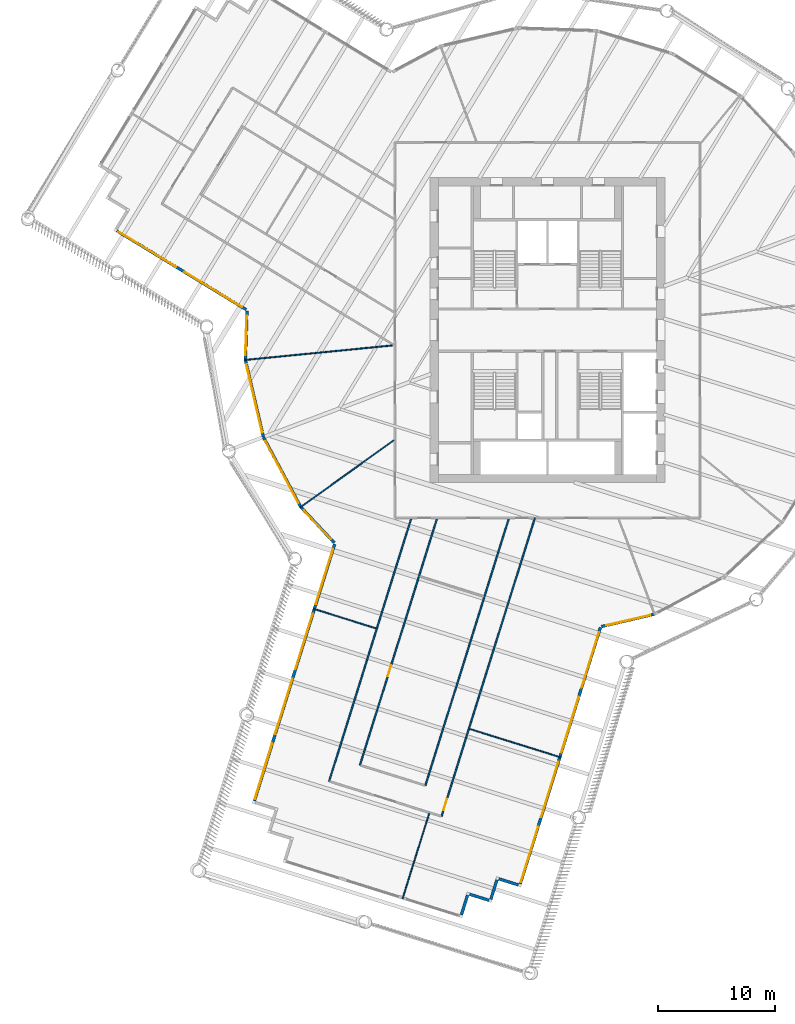
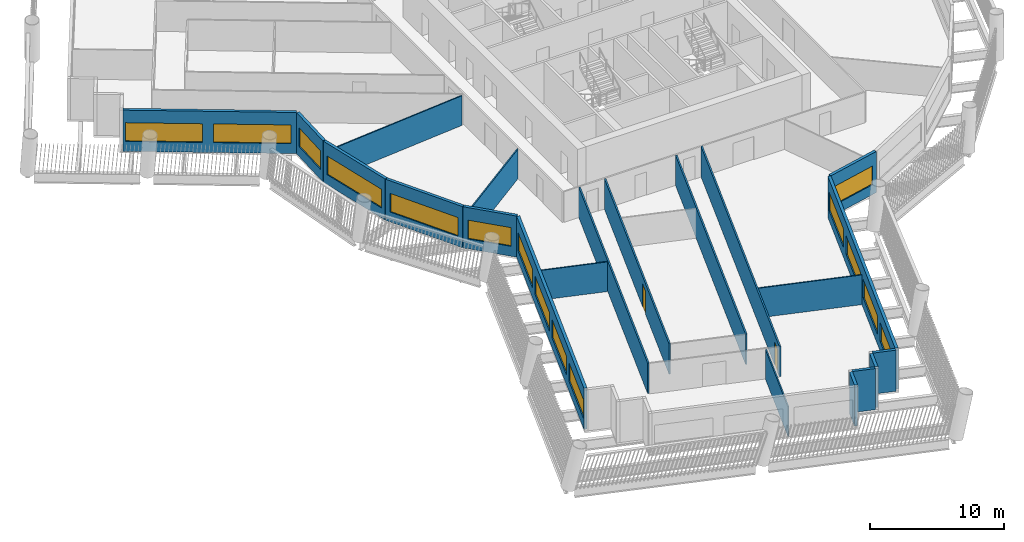
# One storey, part 3 of 15: 21 walls, 15 windows, 2 doors, 17 openings.
"""IFC4 building model written with IfcOpenShell, lengths in metres."""

from ifc_helpers import new_model, si_unit, direction, frame, frame_2d, origin, place, context, subcontext, project, spatial, rectangle, extrude, material, layer, layer_set, type_object, element, fill, save


model = new_model("IFC4")

# Units and contexts
model_context = context("Model", 3, precision=1e-05, world=origin(), true_north=direction((0.0, 1.0)))
body_context = subcontext(model_context, "Body", "Model", "MODEL_VIEW")
ifc_project = project(units=[si_unit("LENGTHUNIT", "METRE"), si_unit("AREAUNIT", "SQUARE_METRE"), si_unit("VOLUMEUNIT", "CUBIC_METRE"), si_unit("PLANEANGLEUNIT", "RADIAN"), si_unit("MASSUNIT", "GRAM", prefix="KILO")], contexts=[model_context])

# Site, building, storey
site_placement = place(None, origin())
site = spatial("IfcSite", under=ifc_project, at=site_placement, CompositionType="ELEMENT")
building_placement = place(site_placement, origin())
building = spatial("IfcBuilding", under=site, at=building_placement, Name="Tarsis Ring Headquarters", CompositionType="ELEMENT")
storey_placement = place(building_placement, frame((0.0, 0.0, 151.5)))
storey = spatial("IfcBuildingStorey", under=building, at=storey_placement, Name="L34", CompositionType="ELEMENT", Elevation=151.5)

# Walls
ifc_material_1 = material(Name="Gypsum board on steel studs", Category="steel")
ifc_layer_1 = layer(ifc_material_1, 0.10009765625)
ifc_layer_set_1 = layer_set([ifc_layer_1], Name="FL partition 100 unrated")
wall_type_1 = type_object("IfcWallType", Name="FL partition 100 unrated", PredefinedType="PARTITIONING", material=ifc_layer_set_1)
wall_1_placement = place(storey_placement, frame((-25.822265625, -2.550048828125, 0.0), z_axis=(0.0, 0.0, 1.0), x_axis=(0.995158345201, 0.098284627367, 0.0)))
element("IfcWall", 1, at=wall_1_placement, inside=storey, type_object=wall_type_1, Name="Partition PW3", PredefinedType="PARTITIONING", context=body_context, shape_type="SweptSolid", body=[
    extrude(rectangle(XDim=12.6708984375, YDim=0.10009765625, at=frame_2d((6.33544921875, 0.0))), origin(), (0.0, 0.0, 1.0), 2.699951171875),
])
wall_2_placement = place(storey_placement, frame((-21.087646484375, -15.11962890625, 0.0), z_axis=(0.0, 0.0, 1.0), x_axis=(0.812692340675, 0.582693023306, 0.0)))
element("IfcWall", 2, at=wall_2_placement, inside=storey, type_object=wall_type_1, Name="Partition PW3", PredefinedType="PARTITIONING", context=body_context, shape_type="SweptSolid", body=[
    extrude(rectangle(XDim=9.8515625, YDim=0.10009765625, at=frame_2d((4.92578125, 0.0))), origin(), (0.0, 0.0, 1.0), 2.699951171875),
])
wall_3_placement = place(storey_placement, frame((-6.6240234375, -33.991943359375, 0.0), z_axis=(0.0, 0.0, 1.0), x_axis=(0.954447377363, -0.298379295267, 0.0)))
element("IfcWall", 3, at=wall_3_placement, inside=storey, type_object=wall_type_1, Name="Partition PW3", PredefinedType="PARTITIONING", context=body_context, shape_type="SweptSolid", body=[
    extrude(rectangle(XDim=8.1298828125, YDim=0.10009765625, at=frame_2d((4.06494140625, 0.0))), origin(), (0.0, 0.0, 1.0), 2.699951171875),
])
wall_4_placement = place(storey_placement, frame((-12.35546875, -48.471435546875, 0.0), z_axis=(0.0, 0.0, 1.0), x_axis=(0.298375196685, 0.954448658652, 0.0)))
element("IfcWall", 4, at=wall_4_placement, inside=storey, type_object=wall_type_1, Name="Partition PW3", PredefinedType="PARTITIONING", context=body_context, shape_type="SweptSolid", body=[
    extrude(rectangle(XDim=7.630126953125, YDim=0.10009765625, at=frame_2d((3.81494140625, 0.0))), origin(), (0.0, 0.0, 1.0), 2.699951171875),
])
wall_5_placement = place(storey_placement, frame((-19.945068359375, -23.750732421875, 0.0), z_axis=(0.0, 0.0, 1.0), x_axis=(0.954443444999, -0.298391873712, 0.0)))
element("IfcWall", 5, at=wall_5_placement, inside=storey, type_object=wall_type_1, Name="Partition PW3", PredefinedType="PARTITIONING", context=body_context, shape_type="SweptSolid", body=[
    extrude(rectangle(XDim=5.58984375, YDim=0.10009765625, at=frame_2d((2.794921875, 0.0))), origin(), (0.0, 0.0, 1.0), 2.699951171875),
])

# Wall, opening, door
ifc_layer_2 = layer(ifc_material_1, 0.125)
ifc_layer_set_2 = layer_set([ifc_layer_2], Name="FL partition 125 EI 60 H2770")
wall_type_2 = type_object("IfcWallType", Name="FL partition 125 EI 60 H2770", PredefinedType="PARTITIONING", material=ifc_layer_set_2)
wall_6_placement = place(storey_placement, frame((-9.027099609375, -41.4443359375, 0.0), z_axis=(0.0, 0.0, 1.0), x_axis=(0.298368853428, 0.954450641628, 0.0)))
wall_6 = element("IfcWall", 6, at=wall_6_placement, inside=storey, type_object=wall_type_2, Name="Partition PW1", PredefinedType="PARTITIONING", context=body_context, shape_type="SweptSolid", body=[
    extrude(rectangle(XDim=26.65869140625, YDim=0.125, at=frame_2d((13.329345703125, 0.0))), origin(), (0.0, 0.0, 1.0), 2.77001953125),
])
opening_1_placement = place(wall_6_placement, frame((0.550048828125, 0.0, 0.0)))
opening_1 = element("IfcOpeningElement", 7, at=opening_1_placement, cuts=wall_6, Name="Opening D34.10", PredefinedType="OPENING", context=body_context, shape_type="SweptSolid", body=[
    extrude(rectangle(XDim=1.0, YDim=2.10009765625, at=frame_2d((0.5, 1.050048828125))), frame((0.0, 0.072509765625, 0.0), z_axis=(0.0, -1.0, 0.0), x_axis=(1.0, 0.0, 0.0)), (0.0, 0.0, 1.0), 0.14501953125),
])
ifc_material_2 = material(Name="Fire-rated timber door leaf in steel frame", Category="steel")
door_type = type_object("IfcDoorType", Name="FL door FD60-1000", OperationType="NOTDEFINED", PredefinedType="DOOR", material=ifc_material_2)
door_1_placement = place(opening_1_placement, origin())
door_1 = element("IfcDoor", 8, at=door_1_placement, inside=storey, type_object=door_type, Name="Door D34.10", OperationType="SINGLE_SWING_RIGHT", OverallHeight=2.10009765625, OverallWidth=1.0, PredefinedType="DOOR", context=body_context, shape_type="SweptSolid", body=[
    extrude(rectangle(XDim=1.0, YDim=2.10009765625, at=frame_2d((0.5, 1.050048828125))), frame((0.0, 0.02490234375, 0.0), z_axis=(0.0, -1.0, 0.0), x_axis=(1.0, 0.0, 0.0)), (0.0, 0.0, 1.0), 0.050048828125),
])
fill(opening_1, door_1)

# Walls
wall_7_placement = place(storey_placement, frame((-10.40478515625, -38.8134765625, 0.0), z_axis=(0.0, 0.0, 1.0), x_axis=(0.298364274045, 0.954452073167, 0.0)))
element("IfcWall", 9, at=wall_7_placement, inside=storey, type_object=wall_type_2, Name="Partition PW1", PredefinedType="PARTITIONING", context=body_context, shape_type="SweptSolid", body=[
    extrude(rectangle(XDim=23.822021484375, YDim=0.125, at=frame_2d((11.9111328125, 0.0))), origin(), (0.0, 0.0, 1.0), 2.77001953125),
])
wall_8_placement = place(storey_placement, frame((-18.60986328125, -38.44873046875, 0.0), z_axis=(0.0, 0.0, 1.0), x_axis=(0.298374031844, 0.954449022799, 0.0)))
element("IfcWall", 10, at=wall_8_placement, inside=storey, type_object=wall_type_2, Name="Partition PW1", PredefinedType="PARTITIONING", context=body_context, shape_type="SweptSolid", body=[
    extrude(rectangle(XDim=23.43994140625, YDim=0.125, at=frame_2d((11.719970703125, 0.0))), origin(), (0.0, 0.0, 1.0), 2.77001953125),
])

# Wall, opening, door
wall_9_placement = place(storey_placement, frame((-15.97900390625, -37.07080078125, 0.0), z_axis=(0.0, 0.0, 1.0), x_axis=(0.298378003997, 0.954447781039, 0.0)))
wall_9 = element("IfcWall", 11, at=wall_9_placement, inside=storey, type_object=wall_type_2, Name="Partition PW1", PredefinedType="PARTITIONING", context=body_context, shape_type="SweptSolid", body=[
    extrude(rectangle(XDim=21.996337890625, YDim=0.125, at=frame_2d((10.998046875, 0.0))), origin(), (0.0, 0.0, 1.0), 2.77001953125),
])
opening_2_placement = place(wall_9_placement, frame((7.92529296875, 0.0, 0.0)))
opening_2 = element("IfcOpeningElement", 12, at=opening_2_placement, cuts=wall_9, Name="Opening D34.17", PredefinedType="OPENING", context=body_context, shape_type="SweptSolid", body=[
    extrude(rectangle(XDim=1.0, YDim=2.10009765625, at=frame_2d((0.5, 1.050048828125))), frame((0.0, 0.072509765625, 0.0), z_axis=(0.0, -1.0, 0.0), x_axis=(1.0, 0.0, 0.0)), (0.0, 0.0, 1.0), 0.14501953125),
])
door_2_placement = place(opening_2_placement, origin())
door_2 = element("IfcDoor", 13, at=door_2_placement, inside=storey, type_object=door_type, Name="Door D34.17", OperationType="SINGLE_SWING_LEFT", OverallHeight=2.10009765625, OverallWidth=1.0, PredefinedType="DOOR", context=body_context, shape_type="SweptSolid", body=[
    extrude(rectangle(XDim=1.0, YDim=2.10009765625, at=frame_2d((0.5, 1.050048828125))), frame((0.0, 0.02490234375, 0.0), z_axis=(0.0, -1.0, 0.0), x_axis=(1.0, 0.0, 0.0)), (0.0, 0.0, 1.0), 0.050048828125),
])
fill(opening_2, door_2)

# Wall, openings, windows
ifc_material_3 = material(Name="Terracotta clad insulated panel wall", Category="masonry")
ifc_layer_3 = layer(ifc_material_3, 0.25)
ifc_layer_set_3 = layer_set([ifc_layer_3], Name="Facade wall terracotta panel 250")
wall_type_3 = type_object("IfcWallType", Name="Facade wall terracotta panel 250", PredefinedType="STANDARD", material=ifc_layer_set_3)
wall_10_placement = place(storey_placement, frame((-36.707275390625, 8.464599609375, 0.0), z_axis=(0.0, 0.0, 1.0), x_axis=(0.853909835868, -0.520420975949, 0.0)))
wall_10 = element("IfcWall", 14, at=wall_10_placement, inside=storey, type_object=wall_type_3, Name="External wall L34-01", PredefinedType="STANDARD", context=body_context, shape_type="SweptSolid", body=[
    extrude(rectangle(XDim=12.921875, YDim=0.25, at=frame_2d((6.4609375, 0.0))), origin(), (0.0, 0.0, 1.0), 3.739990234375),
])
opening_3_placement = place(wall_10_placement, frame((0.16796875, 0.0, 0.89990234375)))
opening_3 = element("IfcOpeningElement", 15, at=opening_3_placement, cuts=wall_10, Name="Opening WN06", PredefinedType="OPENING", context=body_context, shape_type="SweptSolid", body=[
    extrude(rectangle(XDim=5.75, YDim=1.699951171875, at=frame_2d((2.875, 0.85009765625))), frame((0.0, 0.135009765625, 0.0), z_axis=(0.0, -1.0, 0.0), x_axis=(1.0, 0.0, 0.0)), (0.0, 0.0, 1.0), 0.27001953125),
])
opening_4_placement = place(wall_10_placement, frame((6.75390625, 0.0, 0.89990234375)))
opening_4 = element("IfcOpeningElement", 16, at=opening_4_placement, cuts=wall_10, Name="Opening WN06", PredefinedType="OPENING", context=body_context, shape_type="SweptSolid", body=[
    extrude(rectangle(XDim=5.75, YDim=1.699951171875, at=frame_2d((2.875, 0.85009765625))), frame((0.0, 0.135009765625, 0.0), z_axis=(0.0, -1.0, 0.0), x_axis=(1.0, 0.0, 0.0)), (0.0, 0.0, 1.0), 0.27001953125),
])
ifc_material_4 = material(Name="Aluminium framed double glazing", Category="aluminium")
window_type_1 = type_object("IfcWindowType", Name="Facade window 5750 x 1700", PartitioningType="SINGLE_PANEL", PredefinedType="WINDOW", material=ifc_material_4)
window_1_placement = place(opening_3_placement, origin())
window_1 = element("IfcWindow", 17, at=window_1_placement, inside=storey, type_object=window_type_1, Name="Window L34-01.1", OverallHeight=1.699951171875, OverallWidth=5.75, PartitioningType="SINGLE_PANEL", PredefinedType="WINDOW", context=body_context, shape_type="SweptSolid", body=[
    extrude(rectangle(XDim=5.75, YDim=1.699951171875, at=frame_2d((2.875, 0.85009765625))), frame((0.0, 0.030029296875, 0.0), z_axis=(0.0, -1.0, 0.0), x_axis=(1.0, 0.0, 0.0)), (0.0, 0.0, 1.0), 0.06005859375),
])
fill(opening_3, window_1)
window_2_placement = place(opening_4_placement, origin())
window_2 = element("IfcWindow", 18, at=window_2_placement, inside=storey, type_object=window_type_1, Name="Window L34-01.2", OverallHeight=1.699951171875, OverallWidth=5.75, PartitioningType="SINGLE_PANEL", PredefinedType="WINDOW", context=body_context, shape_type="SweptSolid", body=[
    extrude(rectangle(XDim=5.75, YDim=1.699951171875, at=frame_2d((2.875, 0.85009765625))), frame((0.0, 0.030029296875, 0.0), z_axis=(0.0, -1.0, 0.0), x_axis=(1.0, 0.0, 0.0)), (0.0, 0.0, 1.0), 0.06005859375),
])
fill(opening_4, window_2)

# Wall, opening, window
wall_11_placement = place(storey_placement, frame((-25.61328125, 1.62890625, 0.0), z_axis=(0.0, 0.0, 1.0), x_axis=(-0.032415388645, -0.999474483206, 0.0)))
wall_11 = element("IfcWall", 19, at=wall_11_placement, inside=storey, type_object=wall_type_3, Name="External wall L34-02", PredefinedType="STANDARD", context=body_context, shape_type="SweptSolid", body=[
    extrude(rectangle(XDim=4.157470703125, YDim=0.25, at=frame_2d((2.07861328125, 0.0))), origin(), (0.0, 0.0, 1.0), 3.739990234375),
])
opening_5_placement = place(wall_11_placement, frame((0.420166015625, 0.0, 0.89990234375)))
opening_5 = element("IfcOpeningElement", 20, at=opening_5_placement, cuts=wall_11, Name="Opening WN01", PredefinedType="OPENING", context=body_context, shape_type="SweptSolid", body=[
    extrude(rectangle(XDim=3.35009765625, YDim=1.699951171875, at=frame_2d((1.675048828125, 0.85009765625))), frame((0.0, 0.135009765625, 0.0), z_axis=(0.0, -1.0, 0.0), x_axis=(1.0, 0.0, 0.0)), (0.0, 0.0, 1.0), 0.27001953125),
])
window_type_2 = type_object("IfcWindowType", Name="Facade window 3350 x 1700", PartitioningType="SINGLE_PANEL", PredefinedType="WINDOW", material=ifc_material_4)
window_3_placement = place(opening_5_placement, origin())
window_3 = element("IfcWindow", 21, at=window_3_placement, inside=storey, type_object=window_type_2, Name="Window L34-02.1", OverallHeight=1.699951171875, OverallWidth=3.35009765625, PartitioningType="SINGLE_PANEL", PredefinedType="WINDOW", context=body_context, shape_type="SweptSolid", body=[
    extrude(rectangle(XDim=3.35009765625, YDim=1.699951171875, at=frame_2d((1.675048828125, 0.85009765625))), frame((0.0, 0.030029296875, 0.0), z_axis=(0.0, -1.0, 0.0), x_axis=(1.0, 0.0, 0.0)), (0.0, 0.0, 1.0), 0.06005859375),
])
fill(opening_5, window_3)

wall_12_placement = place(storey_placement, frame((-25.744873046875, -2.558837890625, 0.0), z_axis=(0.0, 0.0, 1.0), x_axis=(0.227336397214, -0.97381628786, 0.0)))
wall_12 = element("IfcWall", 22, at=wall_12_placement, inside=storey, type_object=wall_type_3, Name="External wall L34-03", PredefinedType="STANDARD", context=body_context, shape_type="SweptSolid", body=[
    extrude(rectangle(XDim=6.7216796875, YDim=0.25, at=frame_2d((3.36083984375, 0.0))), origin(), (0.0, 0.0, 1.0), 3.739990234375),
])
opening_6_placement = place(wall_12_placement, frame((0.3857421875, 0.0, 0.89990234375)))
opening_6 = element("IfcOpeningElement", 23, at=opening_6_placement, cuts=wall_12, Name="Opening WN07", PredefinedType="OPENING", context=body_context, shape_type="SweptSolid", body=[
    extrude(rectangle(XDim=5.949951171875, YDim=1.699951171875, at=frame_2d((2.97509765625, 0.85009765625))), frame((0.0, 0.135009765625, 0.0), z_axis=(0.0, -1.0, 0.0), x_axis=(1.0, 0.0, 0.0)), (0.0, 0.0, 1.0), 0.27001953125),
])
window_type_3 = type_object("IfcWindowType", Name="Facade window 5950 x 1700", PartitioningType="SINGLE_PANEL", PredefinedType="WINDOW", material=ifc_material_4)
window_4_placement = place(opening_6_placement, origin())
window_4 = element("IfcWindow", 24, at=window_4_placement, inside=storey, type_object=window_type_3, Name="Window L34-03.1", OverallHeight=1.699951171875, OverallWidth=5.949951171875, PartitioningType="SINGLE_PANEL", PredefinedType="WINDOW", context=body_context, shape_type="SweptSolid", body=[
    extrude(rectangle(XDim=5.949951171875, YDim=1.699951171875, at=frame_2d((2.97509765625, 0.85009765625))), frame((0.0, 0.030029296875, 0.0), z_axis=(0.0, -1.0, 0.0), x_axis=(1.0, 0.0, 0.0)), (0.0, 0.0, 1.0), 0.06005859375),
])
fill(opening_6, window_4)

wall_13_placement = place(storey_placement, frame((-24.205322265625, -9.135009765625, 0.0), z_axis=(0.0, 0.0, 1.0), x_axis=(0.471613498576, -0.881805368526, 0.0)))
wall_13 = element("IfcWall", 25, at=wall_13_placement, inside=storey, type_object=wall_type_3, Name="External wall L34-04", PredefinedType="STANDARD", context=body_context, shape_type="SweptSolid", body=[
    extrude(rectangle(XDim=6.721435546875, YDim=0.25, at=frame_2d((3.36083984375, 0.0))), origin(), (0.0, 0.0, 1.0), 3.739990234375),
])
opening_7_placement = place(wall_13_placement, frame((0.3857421875, 0.0, 0.89990234375)))
opening_7 = element("IfcOpeningElement", 26, at=opening_7_placement, cuts=wall_13, Name="Opening WN07", PredefinedType="OPENING", context=body_context, shape_type="SweptSolid", body=[
    extrude(rectangle(XDim=5.949951171875, YDim=1.699951171875, at=frame_2d((2.97509765625, 0.85009765625))), frame((0.0, 0.135009765625, 0.0), z_axis=(0.0, -1.0, 0.0), x_axis=(1.0, 0.0, 0.0)), (0.0, 0.0, 1.0), 0.27001953125),
])
window_5_placement = place(opening_7_placement, origin())
window_5 = element("IfcWindow", 27, at=window_5_placement, inside=storey, type_object=window_type_3, Name="Window L34-04.1", OverallHeight=1.699951171875, OverallWidth=5.949951171875, PartitioningType="SINGLE_PANEL", PredefinedType="WINDOW", context=body_context, shape_type="SweptSolid", body=[
    extrude(rectangle(XDim=5.949951171875, YDim=1.699951171875, at=frame_2d((2.97509765625, 0.85009765625))), frame((0.0, 0.030029296875, 0.0), z_axis=(0.0, -1.0, 0.0), x_axis=(1.0, 0.0, 0.0)), (0.0, 0.0, 1.0), 0.06005859375),
])
fill(opening_7, window_5)

wall_14_placement = place(storey_placement, frame((-21.016357421875, -15.08837890625, 0.0), z_axis=(0.0, 0.0, 1.0), x_axis=(0.683743821857, -0.729722129356, 0.0)))
wall_14 = element("IfcWall", 28, at=wall_14_placement, inside=storey, type_object=wall_type_3, Name="External wall L34-05", PredefinedType="STANDARD", context=body_context, shape_type="SweptSolid", body=[
    extrude(rectangle(XDim=4.15771484375, YDim=0.25, at=frame_2d((2.078857421875, 0.0))), origin(), (0.0, 0.0, 1.0), 3.739990234375),
])
opening_8_placement = place(wall_14_placement, frame((0.38720703125, 0.0, 0.89990234375)))
opening_8 = element("IfcOpeningElement", 29, at=opening_8_placement, cuts=wall_14, Name="Opening WN01", PredefinedType="OPENING", context=body_context, shape_type="SweptSolid", body=[
    extrude(rectangle(XDim=3.35009765625, YDim=1.699951171875, at=frame_2d((1.675048828125, 0.85009765625))), frame((0.0, 0.135009765625, 0.0), z_axis=(0.0, -1.0, 0.0), x_axis=(1.0, 0.0, 0.0)), (0.0, 0.0, 1.0), 0.27001953125),
])
window_6_placement = place(opening_8_placement, origin())
window_6 = element("IfcWindow", 30, at=window_6_placement, inside=storey, type_object=window_type_2, Name="Window L34-05.1", OverallHeight=1.699951171875, OverallWidth=3.35009765625, PartitioningType="SINGLE_PANEL", PredefinedType="WINDOW", context=body_context, shape_type="SweptSolid", body=[
    extrude(rectangle(XDim=3.35009765625, YDim=1.699951171875, at=frame_2d((1.675048828125, 0.85009765625))), frame((0.0, 0.030029296875, 0.0), z_axis=(0.0, -1.0, 0.0), x_axis=(1.0, 0.0, 0.0)), (0.0, 0.0, 1.0), 0.06005859375),
])
fill(opening_8, window_6)

# Wall, openings, windows
wall_15_placement = place(storey_placement, frame((-18.145263671875, -18.244873046875, 0.0), z_axis=(0.0, 0.0, 1.0), x_axis=(-0.298374450501, -0.954448891921, 0.0)))
wall_15 = element("IfcWall", 31, at=wall_15_placement, inside=storey, type_object=wall_type_3, Name="External wall L34-06", PredefinedType="STANDARD", context=body_context, shape_type="SweptSolid", body=[
    extrude(rectangle(XDim=22.922119140625, YDim=0.25, at=frame_2d((11.4609375, 0.0))), origin(), (0.0, 0.0, 1.0), 3.739990234375),
])
opening_9_placement = place(wall_15_placement, frame((0.42138671875, 0.0, 0.89990234375)))
opening_9 = element("IfcOpeningElement", 32, at=opening_9_placement, cuts=wall_15, Name="Opening WN05", PredefinedType="OPENING", context=body_context, shape_type="SweptSolid", body=[
    extrude(rectangle(XDim=4.949951171875, YDim=1.699951171875, at=frame_2d((2.47509765625, 0.85009765625))), frame((0.0, 0.135009765625, 0.0), z_axis=(0.0, -1.0, 0.0), x_axis=(1.0, 0.0, 0.0)), (0.0, 0.0, 1.0), 0.27001953125),
])
opening_10_placement = place(wall_15_placement, frame((6.214599609375, 0.0, 0.89990234375)))
opening_10 = element("IfcOpeningElement", 33, at=opening_10_placement, cuts=wall_15, Name="Opening WN05", PredefinedType="OPENING", context=body_context, shape_type="SweptSolid", body=[
    extrude(rectangle(XDim=4.949951171875, YDim=1.699951171875, at=frame_2d((2.47509765625, 0.85009765625))), frame((0.0, 0.135009765625, 0.0), z_axis=(0.0, -1.0, 0.0), x_axis=(1.0, 0.0, 0.0)), (0.0, 0.0, 1.0), 0.27001953125),
])
opening_11_placement = place(wall_15_placement, frame((12.007568359375, 0.0, 0.89990234375)))
opening_11 = element("IfcOpeningElement", 34, at=opening_11_placement, cuts=wall_15, Name="Opening WN05", PredefinedType="OPENING", context=body_context, shape_type="SweptSolid", body=[
    extrude(rectangle(XDim=4.949951171875, YDim=1.699951171875, at=frame_2d((2.47509765625, 0.85009765625))), frame((0.0, 0.135009765625, 0.0), z_axis=(0.0, -1.0, 0.0), x_axis=(1.0, 0.0, 0.0)), (0.0, 0.0, 1.0), 0.27001953125),
])
opening_12_placement = place(wall_15_placement, frame((17.800537109375, 0.0, 0.89990234375)))
opening_12 = element("IfcOpeningElement", 35, at=opening_12_placement, cuts=wall_15, Name="Opening WN05", PredefinedType="OPENING", context=body_context, shape_type="SweptSolid", body=[
    extrude(rectangle(XDim=4.949951171875, YDim=1.699951171875, at=frame_2d((2.47509765625, 0.85009765625))), frame((0.0, 0.135009765625, 0.0), z_axis=(0.0, -1.0, 0.0), x_axis=(1.0, 0.0, 0.0)), (0.0, 0.0, 1.0), 0.27001953125),
])
window_type_4 = type_object("IfcWindowType", Name="Facade window 4950 x 1700", PartitioningType="SINGLE_PANEL", PredefinedType="WINDOW", material=ifc_material_4)
window_7_placement = place(opening_9_placement, origin())
window_7 = element("IfcWindow", 36, at=window_7_placement, inside=storey, type_object=window_type_4, Name="Window L34-06.1", OverallHeight=1.699951171875, OverallWidth=4.949951171875, PartitioningType="SINGLE_PANEL", PredefinedType="WINDOW", context=body_context, shape_type="SweptSolid", body=[
    extrude(rectangle(XDim=4.949951171875, YDim=1.699951171875, at=frame_2d((2.47509765625, 0.85009765625))), frame((0.0, 0.030029296875, 0.0), z_axis=(0.0, -1.0, 0.0), x_axis=(1.0, 0.0, 0.0)), (0.0, 0.0, 1.0), 0.06005859375),
])
fill(opening_9, window_7)
window_8_placement = place(opening_10_placement, origin())
window_8 = element("IfcWindow", 37, at=window_8_placement, inside=storey, type_object=window_type_4, Name="Window L34-06.2", OverallHeight=1.699951171875, OverallWidth=4.949951171875, PartitioningType="SINGLE_PANEL", PredefinedType="WINDOW", context=body_context, shape_type="SweptSolid", body=[
    extrude(rectangle(XDim=4.949951171875, YDim=1.699951171875, at=frame_2d((2.47509765625, 0.85009765625))), frame((0.0, 0.030029296875, 0.0), z_axis=(0.0, -1.0, 0.0), x_axis=(1.0, 0.0, 0.0)), (0.0, 0.0, 1.0), 0.06005859375),
])
fill(opening_10, window_8)
window_9_placement = place(opening_11_placement, origin())
window_9 = element("IfcWindow", 38, at=window_9_placement, inside=storey, type_object=window_type_4, Name="Window L34-06.3", OverallHeight=1.699951171875, OverallWidth=4.949951171875, PartitioningType="SINGLE_PANEL", PredefinedType="WINDOW", context=body_context, shape_type="SweptSolid", body=[
    extrude(rectangle(XDim=4.949951171875, YDim=1.699951171875, at=frame_2d((2.47509765625, 0.85009765625))), frame((0.0, 0.030029296875, 0.0), z_axis=(0.0, -1.0, 0.0), x_axis=(1.0, 0.0, 0.0)), (0.0, 0.0, 1.0), 0.06005859375),
])
fill(opening_11, window_9)
window_10_placement = place(opening_12_placement, origin())
window_10 = element("IfcWindow", 39, at=window_10_placement, inside=storey, type_object=window_type_4, Name="Window L34-06.4", OverallHeight=1.699951171875, OverallWidth=4.949951171875, PartitioningType="SINGLE_PANEL", PredefinedType="WINDOW", context=body_context, shape_type="SweptSolid", body=[
    extrude(rectangle(XDim=4.949951171875, YDim=1.699951171875, at=frame_2d((2.47509765625, 0.85009765625))), frame((0.0, 0.030029296875, 0.0), z_axis=(0.0, -1.0, 0.0), x_axis=(1.0, 0.0, 0.0)), (0.0, 0.0, 1.0), 0.06005859375),
])
fill(opening_12, window_10)

# Walls
for number, where, z_axis, x_axis, name in (
    (40, (-7.327880859375, -49.83349609375, 0.0), (0.0, 0.0, 1.0), (0.298425925473, 0.95443279858, 0.0), "External wall L34-12"),
    (41, (-6.649169921875, -48.081298828125, 0.0), (0.0, 0.0, 1.0), (0.954484942451, -0.298259106542, 0.0), "External wall L34-13"),
):
    element("IfcWall", number, at=place(storey_placement, frame(where, z_axis=z_axis, x_axis=x_axis)), inside=storey, type_object=wall_type_3, Name=name, PredefinedType="STANDARD", context=body_context, shape_type="SweptSolid", body=[
        extrude(rectangle(XDim=1.75, YDim=0.25, at=frame_2d((0.875, 0.0))), origin(), (0.0, 0.0, 1.0), 3.739990234375),
    ])
for number, where, z_axis, x_axis, name in (
    (42, (-4.822265625, -48.521484375, 0.0), (0.0, 0.0, 1.0), (0.298386192353, 0.954445221169, 0.0), "External wall L34-14"),
    (43, (-4.1435546875, -46.76904296875, 0.0), (0.0, 0.0, 1.0), (0.954445221169, -0.298386192353, 0.0), "External wall L34-15"),
):
    element("IfcWall", number, at=place(storey_placement, frame(where, z_axis=z_axis, x_axis=x_axis)), inside=storey, type_object=wall_type_3, Name=name, PredefinedType="STANDARD", context=body_context, shape_type="SweptSolid", body=[
        extrude(rectangle(XDim=1.750244140625, YDim=0.25, at=frame_2d((0.875, 0.0))), origin(), (0.0, 0.0, 1.0), 3.739990234375),
    ])

# Wall, openings, windows
wall_16_placement = place(storey_placement, frame((-2.316650390625, -47.209228515625, 0.0), z_axis=(0.0, 0.0, 1.0), x_axis=(0.298377575304, 0.954447915057, 0.0)))
wall_16 = element("IfcWall", 44, at=wall_16_placement, inside=storey, type_object=wall_type_3, Name="External wall L34-16", PredefinedType="STANDARD", context=body_context, shape_type="SweptSolid", body=[
    extrude(rectangle(XDim=22.9013671875, YDim=0.25, at=frame_2d((11.45068359375, 0.0))), origin(), (0.0, 0.0, 1.0), 3.739990234375),
])
opening_13_placement = place(wall_16_placement, frame((0.1689453125, 0.0, 0.89990234375)))
opening_13 = element("IfcOpeningElement", 45, at=opening_13_placement, cuts=wall_16, Name="Opening WN05", PredefinedType="OPENING", context=body_context, shape_type="SweptSolid", body=[
    extrude(rectangle(XDim=4.949951171875, YDim=1.699951171875, at=frame_2d((2.47509765625, 0.85009765625))), frame((0.0, 0.135009765625, 0.0), z_axis=(0.0, -1.0, 0.0), x_axis=(1.0, 0.0, 0.0)), (0.0, 0.0, 1.0), 0.27001953125),
])
opening_14_placement = place(wall_16_placement, frame((5.956787109375, 0.0, 0.89990234375)))
opening_14 = element("IfcOpeningElement", 46, at=opening_14_placement, cuts=wall_16, Name="Opening WN05", PredefinedType="OPENING", context=body_context, shape_type="SweptSolid", body=[
    extrude(rectangle(XDim=4.949951171875, YDim=1.699951171875, at=frame_2d((2.47509765625, 0.85009765625))), frame((0.0, 0.135009765625, 0.0), z_axis=(0.0, -1.0, 0.0), x_axis=(1.0, 0.0, 0.0)), (0.0, 0.0, 1.0), 0.27001953125),
])
opening_15_placement = place(wall_16_placement, frame((11.74462890625, 0.0, 0.89990234375)))
opening_15 = element("IfcOpeningElement", 47, at=opening_15_placement, cuts=wall_16, Name="Opening WN05", PredefinedType="OPENING", context=body_context, shape_type="SweptSolid", body=[
    extrude(rectangle(XDim=4.949951171875, YDim=1.699951171875, at=frame_2d((2.47509765625, 0.85009765625))), frame((0.0, 0.135009765625, 0.0), z_axis=(0.0, -1.0, 0.0), x_axis=(1.0, 0.0, 0.0)), (0.0, 0.0, 1.0), 0.27001953125),
])
opening_16_placement = place(wall_16_placement, frame((17.532470703125, 0.0, 0.89990234375)))
opening_16 = element("IfcOpeningElement", 48, at=opening_16_placement, cuts=wall_16, Name="Opening WN05", PredefinedType="OPENING", context=body_context, shape_type="SweptSolid", body=[
    extrude(rectangle(XDim=4.949951171875, YDim=1.699951171875, at=frame_2d((2.47509765625, 0.85009765625))), frame((0.0, 0.135009765625, 0.0), z_axis=(0.0, -1.0, 0.0), x_axis=(1.0, 0.0, 0.0)), (0.0, 0.0, 1.0), 0.27001953125),
])
window_11_placement = place(opening_13_placement, origin())
window_11 = element("IfcWindow", 49, at=window_11_placement, inside=storey, type_object=window_type_4, Name="Window L34-16.1", OverallHeight=1.699951171875, OverallWidth=4.949951171875, PartitioningType="SINGLE_PANEL", PredefinedType="WINDOW", context=body_context, shape_type="SweptSolid", body=[
    extrude(rectangle(XDim=4.949951171875, YDim=1.699951171875, at=frame_2d((2.47509765625, 0.85009765625))), frame((0.0, 0.030029296875, 0.0), z_axis=(0.0, -1.0, 0.0), x_axis=(1.0, 0.0, 0.0)), (0.0, 0.0, 1.0), 0.06005859375),
])
fill(opening_13, window_11)
window_12_placement = place(opening_14_placement, origin())
window_12 = element("IfcWindow", 50, at=window_12_placement, inside=storey, type_object=window_type_4, Name="Window L34-16.2", OverallHeight=1.699951171875, OverallWidth=4.949951171875, PartitioningType="SINGLE_PANEL", PredefinedType="WINDOW", context=body_context, shape_type="SweptSolid", body=[
    extrude(rectangle(XDim=4.949951171875, YDim=1.699951171875, at=frame_2d((2.47509765625, 0.85009765625))), frame((0.0, 0.030029296875, 0.0), z_axis=(0.0, -1.0, 0.0), x_axis=(1.0, 0.0, 0.0)), (0.0, 0.0, 1.0), 0.06005859375),
])
fill(opening_14, window_12)
window_13_placement = place(opening_15_placement, origin())
window_13 = element("IfcWindow", 51, at=window_13_placement, inside=storey, type_object=window_type_4, Name="Window L34-16.3", OverallHeight=1.699951171875, OverallWidth=4.949951171875, PartitioningType="SINGLE_PANEL", PredefinedType="WINDOW", context=body_context, shape_type="SweptSolid", body=[
    extrude(rectangle(XDim=4.949951171875, YDim=1.699951171875, at=frame_2d((2.47509765625, 0.85009765625))), frame((0.0, 0.030029296875, 0.0), z_axis=(0.0, -1.0, 0.0), x_axis=(1.0, 0.0, 0.0)), (0.0, 0.0, 1.0), 0.06005859375),
])
fill(opening_15, window_13)
window_14_placement = place(opening_16_placement, origin())
window_14 = element("IfcWindow", 52, at=window_14_placement, inside=storey, type_object=window_type_4, Name="Window L34-16.4", OverallHeight=1.699951171875, OverallWidth=4.949951171875, PartitioningType="SINGLE_PANEL", PredefinedType="WINDOW", context=body_context, shape_type="SweptSolid", body=[
    extrude(rectangle(XDim=4.949951171875, YDim=1.699951171875, at=frame_2d((2.47509765625, 0.85009765625))), frame((0.0, 0.030029296875, 0.0), z_axis=(0.0, -1.0, 0.0), x_axis=(1.0, 0.0, 0.0)), (0.0, 0.0, 1.0), 0.06005859375),
])
fill(opening_16, window_14)

# Wall, opening, window
wall_17_placement = place(storey_placement, frame((4.607421875, -25.2666015625, 0.0), z_axis=(0.0, 0.0, 1.0), x_axis=(0.973817806987, 0.227329889796, 0.0)))
wall_17 = element("IfcWall", 53, at=wall_17_placement, inside=storey, type_object=wall_type_3, Name="External wall L34-17", PredefinedType="STANDARD", context=body_context, shape_type="SweptSolid", body=[
    extrude(rectangle(XDim=4.617919921875, YDim=0.25, at=frame_2d((2.30908203125, 0.0))), origin(), (0.0, 0.0, 1.0), 3.739990234375),
])
opening_17_placement = place(wall_17_placement, frame((0.400390625, 0.0, 0.89990234375)))
opening_17 = element("IfcOpeningElement", 54, at=opening_17_placement, cuts=wall_17, Name="Opening WN02", PredefinedType="OPENING", context=body_context, shape_type="SweptSolid", body=[
    extrude(rectangle(XDim=3.85009765625, YDim=1.699951171875, at=frame_2d((1.925048828125, 0.85009765625))), frame((0.0, 0.135009765625, 0.0), z_axis=(0.0, -1.0, 0.0), x_axis=(1.0, 0.0, 0.0)), (0.0, 0.0, 1.0), 0.27001953125),
])
window_type_5 = type_object("IfcWindowType", Name="Facade window 3850 x 1700", PartitioningType="SINGLE_PANEL", PredefinedType="WINDOW", material=ifc_material_4)
window_15_placement = place(opening_17_placement, origin())
window_15 = element("IfcWindow", 55, at=window_15_placement, inside=storey, type_object=window_type_5, Name="Window L34-17.1", OverallHeight=1.699951171875, OverallWidth=3.85009765625, PartitioningType="SINGLE_PANEL", PredefinedType="WINDOW", context=body_context, shape_type="SweptSolid", body=[
    extrude(rectangle(XDim=3.85009765625, YDim=1.699951171875, at=frame_2d((1.925048828125, 0.85009765625))), frame((0.0, 0.030029296875, 0.0), z_axis=(0.0, -1.0, 0.0), x_axis=(1.0, 0.0, 0.0)), (0.0, 0.0, 1.0), 0.06005859375),
])
fill(opening_17, window_15)

save(model, "model.ifc")
